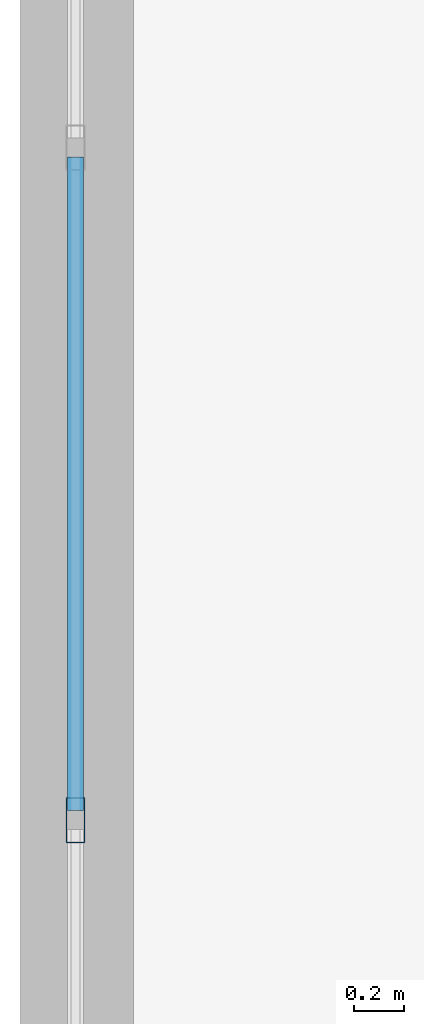
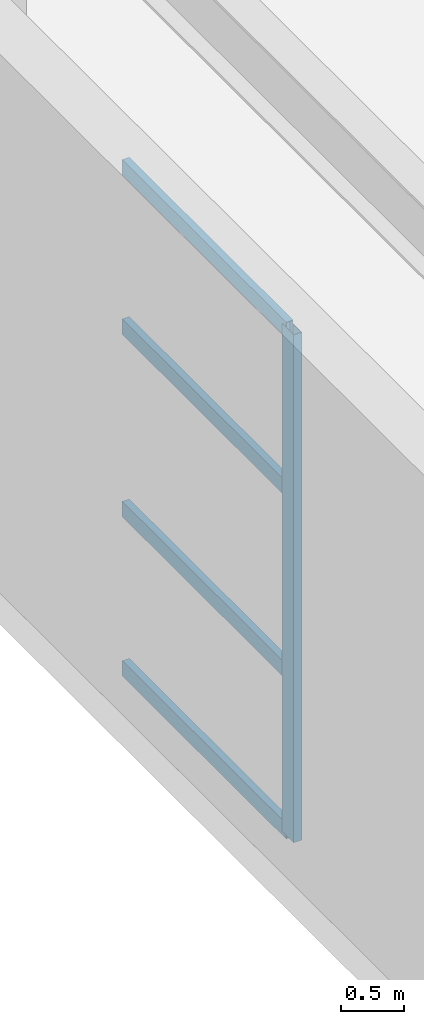
# One storey, part 10 of 35: 5 members, 1 element without a shape of its own.
"""IFC4 building model written with IfcOpenShell, lengths in metres."""

from ifc_helpers import new_model, si_unit, direction, frame, origin, origin_2d, place, context, subcontext, project, spatial, hollow_rectangle, extrude, material, layer, layer_set, material_profile, profile_set, type_object, element, aggregate, save


model = new_model("IFC4")

# Units and contexts
model_context = context("Model", 3, precision=1e-05, world=origin(), true_north=direction((0.0, 1.0)))
body_context = subcontext(model_context, "Body", "Model", "MODEL_VIEW")
ifc_project = project(units=[si_unit("LENGTHUNIT", "METRE"), si_unit("AREAUNIT", "SQUARE_METRE"), si_unit("VOLUMEUNIT", "CUBIC_METRE"), si_unit("PLANEANGLEUNIT", "RADIAN"), si_unit("MASSUNIT", "GRAM", prefix="KILO")], contexts=[model_context])

# Site, building, storey
site_placement = place(None, origin())
site = spatial("IfcSite", under=ifc_project, at=site_placement, CompositionType="ELEMENT")
building_placement = place(site_placement, origin())
building = spatial("IfcBuilding", under=site, at=building_placement, Name="Qiaolan Cultural Towers", CompositionType="ELEMENT")
storey_placement = place(building_placement, frame((0.0, 0.0, 6.0)))
storey = spatial("IfcBuildingStorey", under=building, at=storey_placement, Name="L01", CompositionType="ELEMENT", Elevation=6.0)

# Curtain wall, members
ifc_material_1 = material(Name="Unitized Anodized Aluminium Curtain Wall System", Category="aluminium")
ifc_layer = layer(ifc_material_1, 0.199951171875)
ifc_layer_set = layer_set([ifc_layer], Name="Unitized Anodized Aluminium Curtain Wall System")
curtain_wall_type = type_object("IfcCurtainWallType", Name="CWS-04", PredefinedType="NOTDEFINED", material=ifc_layer_set)
curtain_wall_placement = place(storey_placement, origin())
curtain_wall = element("IfcCurtainWall", 1, at=curtain_wall_placement, inside=storey, type_object=curtain_wall_type, Name="L01 West Exhibition Foyer Curtain Wall", PredefinedType="NOTDEFINED")
ifc_material_2 = material(Name="Extruded Aluminium 6063-T6", Category="aluminium")
ifc_material_profile_1 = material_profile(ifc_material_2, hollow_rectangle(XDim=0.074951171875, YDim=0.179931640625, WallThickness=0.00390625, at=origin_2d()), Name="CWM-180x75x4")
ifc_profile_set_1 = profile_set([ifc_material_profile_1], Name="Extruded Aluminium 6063-T6")
member_type_1 = type_object("IfcMemberType", Name="CWS-04-MUL", PredefinedType="MULLION", material=ifc_profile_set_1)
member_1_placement = place(storey_placement, frame((0.219970703125, 32.666748046875, 0.14990234375), z_axis=(0.0, 0.0, 1.0), x_axis=(-1.0, 0.0, 0.0)))
member_1 = element("IfcMember", 2, at=member_1_placement, type_object=member_type_1, Name="CW-4 mullion 2", PredefinedType="MULLION", context=body_context, shape_type="SweptSolid", body=[
    extrude(hollow_rectangle(XDim=0.074951171875, YDim=0.179931640625, WallThickness=0.00390625, at=origin_2d()), origin(), (0.0, 0.0, 1.0), 4.900146484375),
])
ifc_material_3 = material(Name="Extruded Aluminium 6063-T6", Category="aluminium")
ifc_material_profile_2 = material_profile(ifc_material_3, hollow_rectangle(XDim=0.06494140625, YDim=0.14990234375, WallThickness=0.00390625, at=origin_2d()), Name="CWT-150x65x4")
ifc_profile_set_2 = profile_set([ifc_material_profile_2], Name="Extruded Aluminium 6063-T6")
member_type_2 = type_object("IfcMemberType", Name="CWS-04-TRN", PredefinedType="USERDEFINED", material=ifc_profile_set_2)
member_2_placement = place(storey_placement, frame((0.219970703125, 32.7041015625, 0.1826171875), z_axis=(0.0, 1.0, 0.0), x_axis=(-1.0, 0.0, 0.0)))
member_2 = element("IfcMember", 3, at=member_2_placement, type_object=member_type_2, Name="CW-4 transom 2.1", ObjectType="TRANSOM", PredefinedType="USERDEFINED", context=body_context, shape_type="SweptSolid", body=[
    extrude(hollow_rectangle(XDim=0.06494140625, YDim=0.14990234375, WallThickness=0.00390625, at=origin_2d()), origin(), (0.0, 0.0, 1.0), 2.591796875),
])
member_3_placement = place(storey_placement, frame((0.219970703125, 32.7041015625, 1.719970703125), z_axis=(0.0, 1.0, 0.0), x_axis=(-1.0, 0.0, 0.0)))
member_3 = element("IfcMember", 4, at=member_3_placement, type_object=member_type_2, Name="CW-4 transom 2.2", ObjectType="TRANSOM", PredefinedType="USERDEFINED", context=body_context, shape_type="SweptSolid", body=[
    extrude(hollow_rectangle(XDim=0.06494140625, YDim=0.14990234375, WallThickness=0.00390625, at=origin_2d()), origin(), (0.0, 0.0, 1.0), 2.591796875),
])
member_4_placement = place(storey_placement, frame((0.219970703125, 32.7041015625, 3.47998046875), z_axis=(0.0, 1.0, 0.0), x_axis=(-1.0, 0.0, 0.0)))
member_4 = element("IfcMember", 5, at=member_4_placement, type_object=member_type_2, Name="CW-4 transom 2.3", ObjectType="TRANSOM", PredefinedType="USERDEFINED", context=body_context, shape_type="SweptSolid", body=[
    extrude(hollow_rectangle(XDim=0.06494140625, YDim=0.14990234375, WallThickness=0.00390625, at=origin_2d()), origin(), (0.0, 0.0, 1.0), 2.591796875),
])
member_5_placement = place(storey_placement, frame((0.219970703125, 32.7041015625, 5.017578125), z_axis=(0.0, 1.0, 0.0), x_axis=(-1.0, 0.0, 0.0)))
member_5 = element("IfcMember", 6, at=member_5_placement, type_object=member_type_2, Name="CW-4 transom 2.4", ObjectType="TRANSOM", PredefinedType="USERDEFINED", context=body_context, shape_type="SweptSolid", body=[
    extrude(hollow_rectangle(XDim=0.06494140625, YDim=0.14990234375, WallThickness=0.00390625, at=origin_2d()), origin(), (0.0, 0.0, 1.0), 2.591796875),
])
aggregate(curtain_wall, [member_1, member_2, member_3, member_4, member_5])

save(model, "model.ifc")
